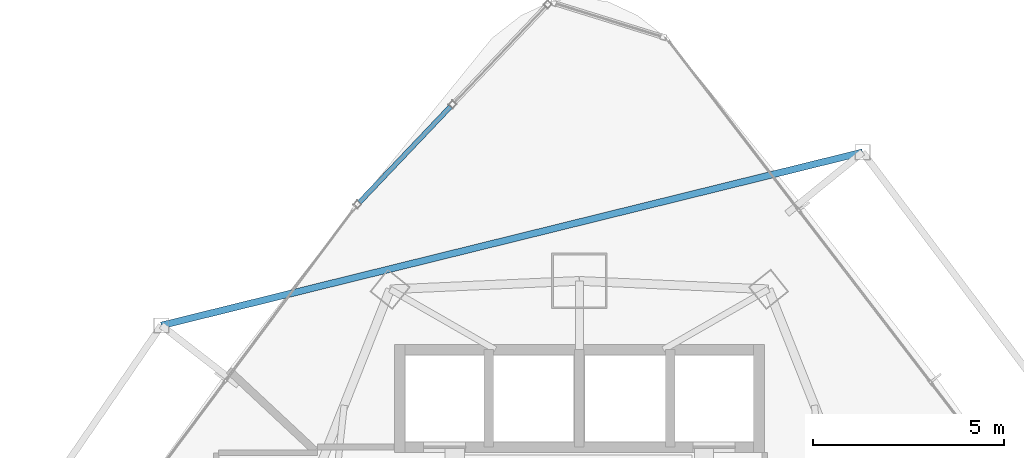
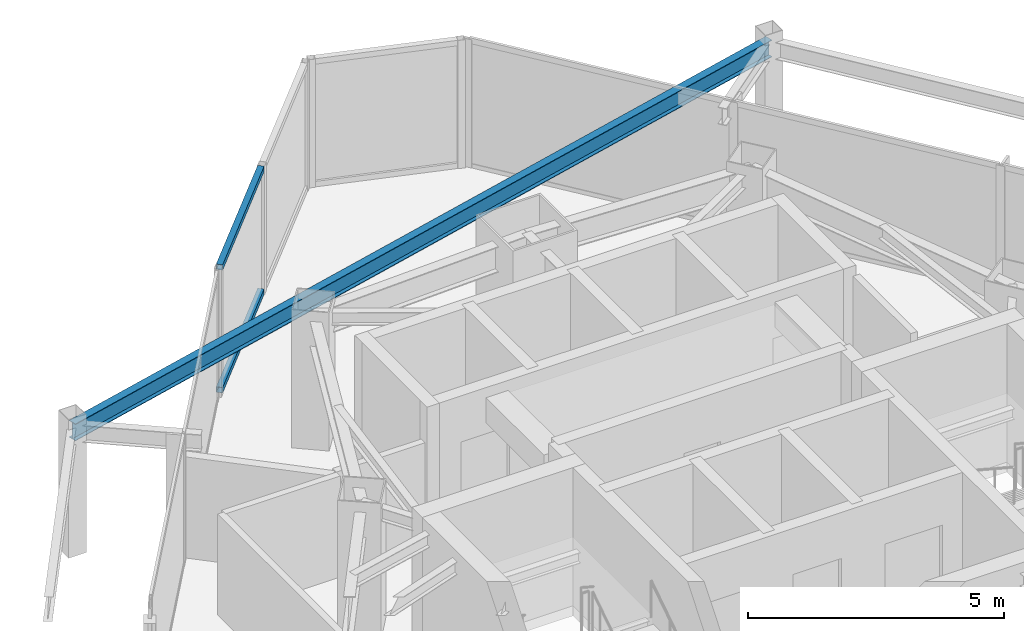
# One storey, part 21 of 30: 2 members, 1 beam, 1 element without a shape of its own.
"""IFC4 building model written with IfcOpenShell, lengths in metres."""

from ifc_helpers import new_model, si_unit, direction, frame, origin, origin_2d, place, context, subcontext, project, spatial, hollow_rectangle, i_section, extrude, material, layer, layer_set, material_profile, profile_set, type_object, element, aggregate, save


model = new_model("IFC4")

# Units and contexts
model_context = context("Model", 3, precision=1e-05, world=origin(), true_north=direction((0.0, 1.0)))
body_context = subcontext(model_context, "Body", "Model", "MODEL_VIEW")
ifc_project = project(units=[si_unit("LENGTHUNIT", "METRE"), si_unit("AREAUNIT", "SQUARE_METRE"), si_unit("VOLUMEUNIT", "CUBIC_METRE"), si_unit("PLANEANGLEUNIT", "RADIAN"), si_unit("MASSUNIT", "GRAM", prefix="KILO")], contexts=[model_context])

# Site, building, storey
site_placement = place(None, origin())
site = spatial("IfcSite", under=ifc_project, at=site_placement, CompositionType="ELEMENT")
building_placement = place(site_placement, origin())
building = spatial("IfcBuilding", under=site, at=building_placement, Name="Orvanel Arch Residences", CompositionType="ELEMENT")
storey_placement = place(building_placement, frame((0.0, 0.0, 136.39990234375)))
storey = spatial("IfcBuildingStorey", under=building, at=storey_placement, Name="L38", CompositionType="ELEMENT", Elevation=136.39990234375)

# Beam
ifc_material_1 = material(Name="Structural steel AS/NZS 3679.1 Grade 300 (300 MPa)", Category="steel")
ifc_material_profile_1 = material_profile(ifc_material_1, i_section(OverallWidth=0.177978515625, OverallDepth=0.406005859375, WebThickness=0.0078125, FlangeThickness=0.0126953125, at=origin_2d()), Name="410UB59.7")
ifc_profile_set_1 = profile_set([ifc_material_profile_1], Name="Structural steel AS/NZS 3679.1 Grade 300 (300 MPa)")
beam_type = type_object("IfcBeamType", Name="OB-410UB-EXT", PredefinedType="SPANDREL", material=ifc_profile_set_1)
beam_placement = place(storey_placement, frame((40.410888671875, 44.762939453125, 2.857177734375), z_axis=(-0.970835461399, -0.239746755743, 0.0), x_axis=(0.239746755743, -0.970835461399, 0.0)))
element("IfcBeam", 1, at=beam_placement, inside=storey, type_object=beam_type, Name="L38 Outer Perimeter Floor Ring Beam 12", PredefinedType="SPANDREL", context=body_context, shape_type="SweptSolid", body=[
    extrude(i_section(OverallWidth=0.177978515625, OverallDepth=0.406005859375, WebThickness=0.0078125, FlangeThickness=0.0126953125, at=origin_2d()), origin(), (0.0, 0.0, 1.0), 18.89501953125),
])

# Curtain wall, members
ifc_material_2 = material(Name="Bronze-anodised aluminium AA6063-T6", Category="aluminium")
ifc_layer = layer(ifc_material_2, 0.18994140625)
ifc_layer_set = layer_set([ifc_layer], Name="Bronze-anodised aluminium AA6063-T6")
curtain_wall_type = type_object("IfcCurtainWallType", Name="CW5-CRN-SYS", PredefinedType="NOTDEFINED", material=ifc_layer_set)
curtain_wall_placement = place(storey_placement, origin())
curtain_wall = element("IfcCurtainWall", 2, at=curtain_wall_placement, inside=storey, type_object=curtain_wall_type, Name="L38 CW5-CRN-SYS Unitised Curtain Wall", PredefinedType="NOTDEFINED")
ifc_material_profile_2 = material_profile(ifc_material_2, hollow_rectangle(XDim=0.1298828125, YDim=0.1298828125, WallThickness=0.00439453125, at=origin_2d()), Name="ALU130x130x4.5")
ifc_profile_set_2 = profile_set([ifc_material_profile_2], Name="Bronze-anodised aluminium AA6063-T6")
member_type = type_object("IfcMemberType", Name="TRN-130x130", PredefinedType="USERDEFINED", material=ifc_profile_set_2)
member_1_placement = place(storey_placement, frame((29.6318359375, 45.958740234375, 0.065185546875), z_axis=(-0.689181252122, -0.724588988133, 0.0), x_axis=(0.724588988133, -0.689181252122, 0.0)))
member_1 = element("IfcMember", 3, at=member_1_placement, type_object=member_type, Name="CW-S5 transom 2.1", ObjectType="TRANSOM", PredefinedType="USERDEFINED", context=body_context, shape_type="SweptSolid", body=[
    extrude(hollow_rectangle(XDim=0.1298828125, YDim=0.1298828125, WallThickness=0.00439453125, at=origin_2d()), origin(), (0.0, 0.0, 1.0), 3.46142578125),
])
member_2_placement = place(storey_placement, frame((29.6318359375, 45.958740234375, 2.9951171875), z_axis=(-0.689181252122, -0.724588988133, 0.0), x_axis=(0.724588988133, -0.689181252122, 0.0)))
member_2 = element("IfcMember", 4, at=member_2_placement, type_object=member_type, Name="CW-S5 transom 2.2", ObjectType="TRANSOM", PredefinedType="USERDEFINED", context=body_context, shape_type="SweptSolid", body=[
    extrude(hollow_rectangle(XDim=0.1298828125, YDim=0.1298828125, WallThickness=0.00439453125, at=origin_2d()), origin(), (0.0, 0.0, 1.0), 3.46142578125),
])
aggregate(curtain_wall, [member_1, member_2])

save(model, "model.ifc")
